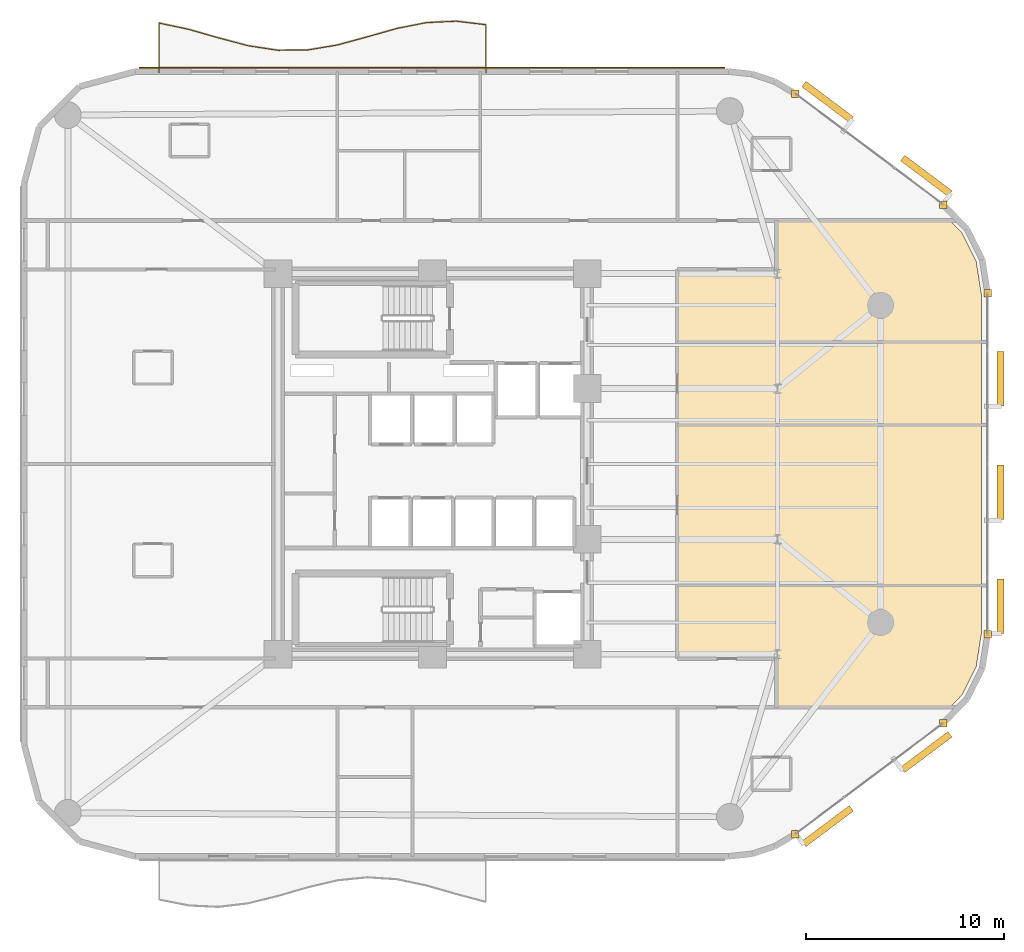
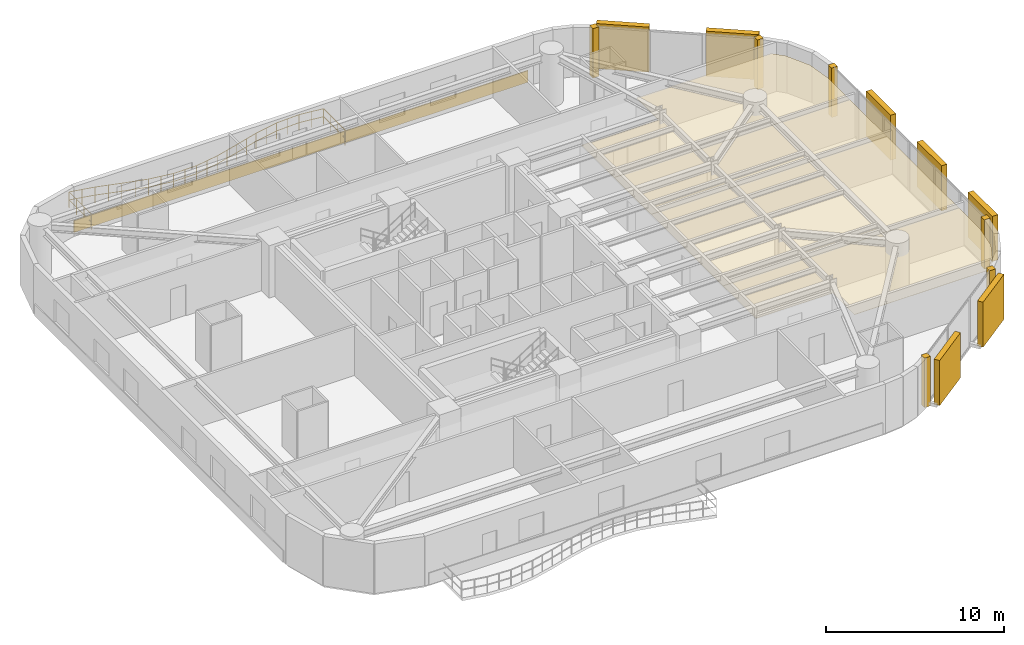
# One storey, part 15 of 15: 11 coverings, 7 shading devices, 1 railing.
"""IFC4 building model written with IfcOpenShell, lengths in metres."""

from ifc_helpers import new_model, si_unit, direction, frame, origin, origin_2d, place, context, subcontext, project, spatial, polyline, rectangle, circle, outline, extrude, material, layer, layer_set, type_object, element, save


model = new_model("IFC4")

# Units and contexts
model_context = context("Model", 3, precision=1e-05, world=origin(), true_north=direction((0.0, 1.0)))
body_context = subcontext(model_context, "Body", "Model", "MODEL_VIEW")
ifc_project = project(units=[si_unit("LENGTHUNIT", "METRE"), si_unit("AREAUNIT", "SQUARE_METRE"), si_unit("VOLUMEUNIT", "CUBIC_METRE"), si_unit("PLANEANGLEUNIT", "RADIAN"), si_unit("MASSUNIT", "GRAM", prefix="KILO")], contexts=[model_context])

# Site, building, storey
site_placement = place(None, origin())
site = spatial("IfcSite", under=ifc_project, at=site_placement, CompositionType="ELEMENT")
building_placement = place(site_placement, origin())
building = spatial("IfcBuilding", under=site, at=building_placement, Name="An Khanh Terracotta Commons", CompositionType="ELEMENT")
storey_placement = place(building_placement, frame((0.0, 0.0, 122.300048828125)))
storey = spatial("IfcBuildingStorey", under=building, at=storey_placement, Name="L32", CompositionType="ELEMENT", Elevation=122.300048828125)

# Coverings
ifc_material_1 = material(Name="Perforated Mineral-Fibre Acoustic Tile")
ifc_layer_1 = layer(ifc_material_1, 0.02001953125, Name="Perforated Mineral-Fibre Acoustic Tile")
ifc_layer_set_1 = layer_set([ifc_layer_1], Name="Perforated Mineral-Fibre Acoustic Tile")
covering_type_1 = type_object("IfcCoveringType", Name="CEIL-ACOUSTIC-18", PredefinedType="CEILING", material=ifc_layer_set_1)
covering_1_placement = place(storey_placement, frame((0.0, 0.0, 2.64990234375)))
element("IfcCovering", 1, at=covering_1_placement, inside=storey, type_object=covering_type_1, Name="L32 Collaborative Study Lounge Ceiling", PredefinedType="CEILING", context=body_context, shape_type="SweptSolid", body=[
    extrude(outline(polyline([(57.080078125, 15.425048828125), (56.825927734375, 13.7939453125), (56.10009765625, 12.342041015625), (55.492919921875, 11.719970703125), (46.75, 11.719970703125), (46.75, 14.179931640625), (41.75, 14.179931640625), (41.75, 17.860107421875), (57.080078125, 17.860107421875), (57.080078125, 15.425048828125)])), origin(), (0.0, 0.0, 1.0), 0.02001953125),
])
covering_2_placement = place(storey_placement, frame((0.0, 0.0, 2.64990234375)))
element("IfcCovering", 2, at=covering_2_placement, inside=storey, type_object=covering_type_1, Name="L32 Riverfront Reading Hall Ceiling", PredefinedType="CEILING", context=body_context, shape_type="SweptSolid", body=[
    extrude(outline(polyline([(57.080078125, 17.860107421875), (41.75, 17.860107421875), (41.75, 25.965087890625), (57.080078125, 25.965087890625), (57.080078125, 17.860107421875)])), origin(), (0.0, 0.0, 1.0), 0.02001953125),
])
covering_3_placement = place(storey_placement, frame((0.0, 0.0, 2.64990234375)))
element("IfcCovering", 3, at=covering_3_placement, inside=storey, type_object=covering_type_1, Name="L32 Collaborative Study Lounge Ceiling", PredefinedType="CEILING", context=body_context, shape_type="SweptSolid", body=[
    extrude(outline(polyline([(57.080078125, 25.965087890625), (41.75, 25.965087890625), (41.75, 30.139892578125), (57.080078125, 30.139892578125), (57.080078125, 25.965087890625)])), origin(), (0.0, 0.0, 1.0), 0.02001953125),
])
covering_4_placement = place(storey_placement, frame((0.0, 0.0, 2.64990234375)))
element("IfcCovering", 4, at=covering_4_placement, inside=storey, type_object=covering_type_1, Name="L32 Collaborative Study Lounge Ceiling", PredefinedType="CEILING", context=body_context, shape_type="SweptSolid", body=[
    extrude(outline(polyline([(56.10009765625, 35.657958984375), (56.825927734375, 34.2060546875), (57.080078125, 32.574951171875), (57.080078125, 30.139892578125), (41.75, 30.139892578125), (41.75, 33.820068359375), (46.75, 33.820068359375), (46.75, 36.280029296875), (55.492919921875, 36.280029296875), (56.10009765625, 35.657958984375)])), origin(), (0.0, 0.0, 1.0), 0.02001953125),
])
ifc_material_2 = material(Name="Fired Terracotta Rainscreen Cladding", Category="masonry")
ifc_layer_2 = layer(ifc_material_2, 0.080078125, Name="Fired Terracotta Rainscreen Cladding")
ifc_layer_set_2 = layer_set([ifc_layer_2], Name="Fired Terracotta Rainscreen Cladding")
covering_type_2 = type_object("IfcCoveringType", Name="COV-JAMB-TERRA", PredefinedType="CLADDING", material=ifc_layer_set_2)
for number, where, z_axis, x_axis, name in (
    (5, (47.693115234375, 5.320068359375, 0.0), (0.0, 0.0, 1.0), (1.0, 0.0, 0.0), "L32 CW-02 Curtain-Wall Jamb Closure JA"),
    (6, (55.159912109375, 10.919921875, 0.0), (0.0, 0.0, 1.0), (1.0, 0.0, 0.0), "L32 CW-02 Curtain-Wall Jamb Closure JB"),
    (7, (57.39990234375, 15.39990234375, 0.0), (0.0, 0.0, 1.0), (1.0, 0.0, 0.0), "L32 CW-02 Curtain-Wall Jamb Closure JA"),
    (8, (57.39990234375, 32.60009765625, 0.0), (0.0, 0.0, 1.0), (1.0, 0.0, 0.0), "L32 CW-02 Curtain-Wall Jamb Closure JB"),
    (9, (55.159912109375, 37.080078125, 0.0), (0.0, 0.0, 1.0), (1.0, 0.0, 0.0), "L32 CW-02 Curtain-Wall Jamb Closure JA"),
    (10, (47.693115234375, 42.679931640625, 0.0), (0.0, 0.0, 1.0), (1.0, 0.0, 0.0), "L32 CW-02 Curtain-Wall Jamb Closure JB"),
):
    element("IfcCovering", number, at=place(storey_placement, frame(where, z_axis=z_axis, x_axis=x_axis)), inside=storey, type_object=covering_type_2, Name=name, PredefinedType="CLADDING", context=body_context, shape_type="SweptSolid", body=[
        extrude(rectangle(XDim=0.3798828125, YDim=0.3798828125, at=origin_2d()), origin(), (0.0, 0.0, 1.0), 3.39990234375),
    ])
ifc_layer_3 = layer(ifc_material_2, 0.06005859375, Name="Fired Terracotta Rainscreen Cladding")
ifc_layer_set_3 = layer_set([ifc_layer_3], Name="Fired Terracotta Rainscreen Cladding")
covering_type_3 = type_object("IfcCoveringType", Name="COV-SPANDREL-TERRA", PredefinedType="CLADDING", material=ifc_layer_set_3)
covering_5_placement = place(storey_placement, frame((29.365966796875, 43.97998046875, 0.02001953125), z_axis=(0.0, 0.0, 1.0), x_axis=(-1.0, 0.0, 0.0)))
element("IfcCovering", 11, at=covering_5_placement, inside=storey, type_object=covering_type_3, Name="L32 Terracotta Spandrel Cladding 20", PredefinedType="CLADDING", context=body_context, shape_type="SweptSolid", body=[
    extrude(rectangle(XDim=29.532958984375, YDim=0.06005859375, at=origin_2d()), origin(), (0.0, 0.0, 1.0), 0.800048828125),
])

# Railing
ifc_material_3 = material(Name="Brushed Stainless Steel 316", Category="steel")
railing_type = type_object("IfcRailingType", Name="RAIL-BALUSTRADE-1100", PredefinedType="BALUSTRADE", material=ifc_material_3)
railing_placement = place(storey_placement, frame((32.10009765625, 43.739990234375, 0.0)))
element("IfcRailing", 12, at=railing_placement, inside=storey, type_object=railing_type, Name="L32 N Wave Balcony Guard Balustrade", PredefinedType="BALUSTRADE", context=body_context, shape_type="SweptSolid", body=[
    extrude(circle(Radius=0.02392578125, at=origin_2d()), frame((0.0, 0.0, 1.076171875), z_axis=(0.0, 1.0, 0.0), x_axis=(-1.0, 0.0, 0.0)), (0.0, 0.0, 1.0), 2.4140625),
    extrude(circle(Radius=0.02392578125, at=origin_2d()), frame((0.0, 0.0, 0.52587890625), z_axis=(0.0, 1.0, 0.0), x_axis=(-1.0, 0.0, 0.0)), (0.0, 0.0, 1.0), 2.4140625),
    extrude(circle(Radius=0.02392578125, at=origin_2d()), frame((0.0, 2.4140625, 1.076171875), z_axis=(-0.99288219023, 0.11910061429, 0.0), x_axis=(-0.11910061429, -0.99288219023, 0.0)), (0.0, 0.0, 1.0), 1.5107421875),
    extrude(circle(Radius=0.02392578125, at=origin_2d()), frame((0.0, 2.4140625, 0.52587890625), z_axis=(-0.99288219023, 0.11910061429, 0.0), x_axis=(-0.11910061429, -0.99288219023, 0.0)), (0.0, 0.0, 1.0), 1.5107421875),
    extrude(circle(Radius=0.02392578125, at=origin_2d()), frame((-1.5, 2.593994140625, 1.076171875), z_axis=(-0.998880243389, -0.047310245903, 0.0), x_axis=(0.047310245903, -0.998880243389, 0.0)), (0.0, 0.0, 1.0), 1.501708984375),
    extrude(circle(Radius=0.02392578125, at=origin_2d()), frame((-1.5, 2.593994140625, 0.52587890625), z_axis=(-0.998880243389, -0.047310245903, 0.0), x_axis=(0.047310245903, -0.998880243389, 0.0)), (0.0, 0.0, 1.0), 1.501708984375),
    extrude(circle(Radius=0.02392578125, at=origin_2d()), frame((-3.0, 2.52294921875, 1.076171875), z_axis=(-0.980849911242, -0.194765119094, 0.0), x_axis=(0.194765119094, -0.980849911242, 0.0)), (0.0, 0.0, 1.0), 1.529296875),
    extrude(circle(Radius=0.02392578125, at=origin_2d()), frame((-3.0, 2.52294921875, 0.52587890625), z_axis=(-0.980849911242, -0.194765119094, 0.0), x_axis=(0.194765119094, -0.980849911242, 0.0)), (0.0, 0.0, 1.0), 1.529296875),
    extrude(circle(Radius=0.02392578125, at=origin_2d()), frame((-4.5, 2.22509765625, 1.076171875), z_axis=(-0.962282666556, -0.272051593719, 0.0), x_axis=(0.272051593719, -0.962282666556, 0.0)), (0.0, 0.0, 1.0), 1.558837890625),
    extrude(circle(Radius=0.02392578125, at=origin_2d()), frame((-4.5, 2.22509765625, 0.52587890625), z_axis=(-0.962282666556, -0.272051593719, 0.0), x_axis=(0.272051593719, -0.962282666556, 0.0)), (0.0, 0.0, 1.0), 1.558837890625),
    extrude(circle(Radius=0.02392578125, at=origin_2d()), frame((-6.0, 1.801025390625, 1.076171875), z_axis=(-0.964948425307, -0.262439586375, 0.0), x_axis=(0.262439586375, -0.964948425307, 0.0)), (0.0, 0.0, 1.0), 1.554443359375),
    extrude(circle(Radius=0.02392578125, at=origin_2d()), frame((-6.0, 1.801025390625, 0.52587890625), z_axis=(-0.964948425307, -0.262439586375, 0.0), x_axis=(0.262439586375, -0.964948425307, 0.0)), (0.0, 0.0, 1.0), 1.554443359375),
    extrude(circle(Radius=0.02392578125, at=origin_2d()), frame((-7.5, 1.39306640625, 1.076171875), z_axis=(-0.986053503704, -0.166428626846, 0.0), x_axis=(0.166428626846, -0.986053503704, 0.0)), (0.0, 0.0, 1.0), 1.521240234375),
    extrude(circle(Radius=0.02392578125, at=origin_2d()), frame((-7.5, 1.39306640625, 0.52587890625), z_axis=(-0.986053503704, -0.166428626846, 0.0), x_axis=(0.166428626846, -0.986053503704, 0.0)), (0.0, 0.0, 1.0), 1.521240234375),
    extrude(circle(Radius=0.02392578125, at=origin_2d()), frame((-9.0, 1.139892578125, 1.076171875), z_axis=(-0.999956968224, -0.009276944529, 0.0), x_axis=(0.009276944529, -0.999956968224, 0.0)), (0.0, 0.0, 1.0), 1.5),
    extrude(circle(Radius=0.02392578125, at=origin_2d()), frame((-9.0, 1.139892578125, 0.52587890625), z_axis=(-0.999956968224, -0.009276944529, 0.0), x_axis=(0.009276944529, -0.999956968224, 0.0)), (0.0, 0.0, 1.0), 1.5),
    extrude(circle(Radius=0.02392578125, at=origin_2d()), frame((-10.5, 1.1259765625, 1.076171875), z_axis=(-0.988545890906, 0.15092058035, 0.0), x_axis=(-0.15092058035, -0.988545890906, 0.0)), (0.0, 0.0, 1.0), 1.517333984375),
    extrude(circle(Radius=0.02392578125, at=origin_2d()), frame((-10.5, 1.1259765625, 0.52587890625), z_axis=(-0.988545890906, 0.15092058035, 0.0), x_axis=(-0.15092058035, -0.988545890906, 0.0)), (0.0, 0.0, 1.0), 1.517333984375),
    extrude(circle(Radius=0.02392578125, at=origin_2d()), frame((-12.0, 1.35498046875, 1.076171875), z_axis=(-0.966718963822, 0.255840663277, 0.0), x_axis=(-0.255840663277, -0.966718963822, 0.0)), (0.0, 0.0, 1.0), 1.5517578125),
    extrude(circle(Radius=0.02392578125, at=origin_2d()), frame((-12.0, 1.35498046875, 0.52587890625), z_axis=(-0.966718963822, 0.255840663277, 0.0), x_axis=(-0.255840663277, -0.966718963822, 0.0)), (0.0, 0.0, 1.0), 1.5517578125),
    extrude(circle(Radius=0.02392578125, at=origin_2d()), frame((-13.5, 1.751953125, 1.076171875), z_axis=(-0.961251897699, 0.275671524047, 0.0), x_axis=(-0.275671524047, -0.961251897699, 0.0)), (0.0, 0.0, 1.0), 1.560546875),
    extrude(circle(Radius=0.02392578125, at=origin_2d()), frame((-13.5, 1.751953125, 0.52587890625), z_axis=(-0.961251897699, 0.275671524047, 0.0), x_axis=(-0.275671524047, -0.961251897699, 0.0)), (0.0, 0.0, 1.0), 1.560546875),
    extrude(circle(Radius=0.02392578125, at=origin_2d()), frame((-15.0, 2.18212890625, 1.076171875), z_axis=(-0.978275241205, 0.207310280607, 0.0), x_axis=(-0.207310280607, -0.978275241205, 0.0)), (0.0, 0.0, 1.0), 1.533203125),
    extrude(circle(Radius=0.02392578125, at=origin_2d()), frame((-15.0, 2.18212890625, 0.52587890625), z_axis=(-0.978275241205, 0.207310280607, 0.0), x_axis=(-0.207310280607, -0.978275241205, 0.0)), (0.0, 0.0, 1.0), 1.533203125),
    extrude(circle(Radius=0.02392578125, at=origin_2d()), frame((-16.5, 2.5, 1.076171875), z_axis=(0.0, -1.0, 0.0), x_axis=(1.0, 0.0, 0.0)), (0.0, 0.0, 1.0), 2.5),
    extrude(circle(Radius=0.02392578125, at=origin_2d()), frame((-16.5, 2.5, 0.52587890625), z_axis=(0.0, -1.0, 0.0), x_axis=(1.0, 0.0, 0.0)), (0.0, 0.0, 1.0), 2.5),
    extrude(circle(Radius=0.02099609375, at=origin_2d()), origin(), (0.0, 0.0, 1.0), 1.052001953125),
    extrude(circle(Radius=0.02099609375, at=origin_2d()), frame((0.0, 0.8046875, 0.0)), (0.0, 0.0, 1.0), 1.052001953125),
    extrude(circle(Radius=0.02099609375, at=origin_2d()), frame((0.0, 1.609375, 0.0)), (0.0, 0.0, 1.0), 1.052001953125),
    extrude(circle(Radius=0.02099609375, at=origin_2d()), frame((0.0, 2.4140625, 0.0)), (0.0, 0.0, 1.0), 1.052001953125),
    extrude(circle(Radius=0.02099609375, at=origin_2d()), frame((-0.75, 2.50390625, 0.0)), (0.0, 0.0, 1.0), 1.052001953125),
    extrude(circle(Radius=0.02099609375, at=origin_2d()), frame((-1.5, 2.593994140625, 0.0)), (0.0, 0.0, 1.0), 1.052001953125),
    extrude(circle(Radius=0.02099609375, at=origin_2d()), frame((-2.25, 2.55859375, 0.0)), (0.0, 0.0, 1.0), 1.052001953125),
    extrude(circle(Radius=0.02099609375, at=origin_2d()), frame((-3.0, 2.52294921875, 0.0)), (0.0, 0.0, 1.0), 1.052001953125),
    extrude(circle(Radius=0.02099609375, at=origin_2d()), frame((-3.75, 2.3740234375, 0.0)), (0.0, 0.0, 1.0), 1.052001953125),
    extrude(circle(Radius=0.02099609375, at=origin_2d()), frame((-4.5, 2.22509765625, 0.0)), (0.0, 0.0, 1.0), 1.052001953125),
    extrude(circle(Radius=0.02099609375, at=origin_2d()), frame((-5.25, 2.01318359375, 0.0)), (0.0, 0.0, 1.0), 1.052001953125),
    extrude(circle(Radius=0.02099609375, at=origin_2d()), frame((-6.0, 1.801025390625, 0.0)), (0.0, 0.0, 1.0), 1.052001953125),
    extrude(circle(Radius=0.02099609375, at=origin_2d()), frame((-6.75, 1.59716796875, 0.0)), (0.0, 0.0, 1.0), 1.052001953125),
    extrude(circle(Radius=0.02099609375, at=origin_2d()), frame((-7.5, 1.39306640625, 0.0)), (0.0, 0.0, 1.0), 1.052001953125),
    extrude(circle(Radius=0.02099609375, at=origin_2d()), frame((-8.25, 1.2666015625, 0.0)), (0.0, 0.0, 1.0), 1.052001953125),
    extrude(circle(Radius=0.02099609375, at=origin_2d()), frame((-9.0, 1.139892578125, 0.0)), (0.0, 0.0, 1.0), 1.052001953125),
    extrude(circle(Radius=0.02099609375, at=origin_2d()), frame((-9.75, 1.1328125, 0.0)), (0.0, 0.0, 1.0), 1.052001953125),
    extrude(circle(Radius=0.02099609375, at=origin_2d()), frame((-10.5, 1.1259765625, 0.0)), (0.0, 0.0, 1.0), 1.052001953125),
    extrude(circle(Radius=0.02099609375, at=origin_2d()), frame((-11.25, 1.240478515625, 0.0)), (0.0, 0.0, 1.0), 1.052001953125),
    extrude(circle(Radius=0.02099609375, at=origin_2d()), frame((-12.0, 1.35498046875, 0.0)), (0.0, 0.0, 1.0), 1.052001953125),
    extrude(circle(Radius=0.02099609375, at=origin_2d()), frame((-12.75, 1.553466796875, 0.0)), (0.0, 0.0, 1.0), 1.052001953125),
    extrude(circle(Radius=0.02099609375, at=origin_2d()), frame((-13.5, 1.751953125, 0.0)), (0.0, 0.0, 1.0), 1.052001953125),
    extrude(circle(Radius=0.02099609375, at=origin_2d()), frame((-14.25, 1.967041015625, 0.0)), (0.0, 0.0, 1.0), 1.052001953125),
    extrude(circle(Radius=0.02099609375, at=origin_2d()), frame((-15.0, 2.18212890625, 0.0)), (0.0, 0.0, 1.0), 1.052001953125),
    extrude(circle(Radius=0.02099609375, at=origin_2d()), frame((-15.75, 2.341064453125, 0.0)), (0.0, 0.0, 1.0), 1.052001953125),
    extrude(circle(Radius=0.02099609375, at=origin_2d()), frame((-16.5, 2.5, 0.0)), (0.0, 0.0, 1.0), 1.052001953125),
    extrude(circle(Radius=0.02099609375, at=origin_2d()), frame((-16.5, 1.666748046875, 0.0)), (0.0, 0.0, 1.0), 1.052001953125),
    extrude(circle(Radius=0.02099609375, at=origin_2d()), frame((-16.5, 0.833251953125, 0.0)), (0.0, 0.0, 1.0), 1.052001953125),
    extrude(circle(Radius=0.02099609375, at=origin_2d()), frame((-16.5, 0.0, 0.0)), (0.0, 0.0, 1.0), 1.052001953125),
])

# Shading devices
ifc_material_4 = material(Name="Extruded Fired Terracotta", Category="masonry")
shading_device_type = type_object("IfcShadingDeviceType", Name="Terracotta Baguette Screen Assembly", PredefinedType="USERDEFINED", material=ifc_material_4)
for number, where, z_axis, x_axis, name in (
    (13, (49.326904296875, 5.73291015625, 0.14990234375), (0.0, 0.0, 1.0), (0.800012856594, 0.599982857492, 0.0), "L32 Terracotta Baguette Screen 1"),
    (14, (54.304931640625, 9.467041015625, 0.14990234375), (0.0, 0.0, 1.0), (0.800012856594, 0.599982857492, 0.0), "L32 Terracotta Baguette Screen 3"),
):
    element("IfcShadingDevice", number, at=place(storey_placement, frame(where, z_axis=z_axis, x_axis=x_axis)), inside=storey, type_object=shading_device_type, Name=name, ObjectType="BAGUETTE", PredefinedType="USERDEFINED", context=body_context, shape_type="SweptSolid", body=[
        extrude(rectangle(XDim=2.990966796875, YDim=0.35009765625, at=origin_2d()), origin(), (0.0, 0.0, 1.0), 3.10009765625),
    ])
for number, where, z_axis, x_axis, name in (
    (15, (58.050048828125, 16.8330078125, 0.14990234375), (0.0, 0.0, 1.0), (0.0, 1.0, 0.0), "L32 Terracotta Baguette Screen 1"),
    (16, (58.050048828125, 22.56689453125, 0.14990234375), (0.0, 0.0, 1.0), (0.0, 1.0, 0.0), "L32 Terracotta Baguette Screen 3"),
    (17, (58.050048828125, 28.300048828125, 0.14990234375), (0.0, 0.0, 1.0), (0.0, 1.0, 0.0), "L32 Terracotta Baguette Screen 5"),
):
    element("IfcShadingDevice", number, at=place(storey_placement, frame(where, z_axis=z_axis, x_axis=x_axis)), inside=storey, type_object=shading_device_type, Name=name, ObjectType="BAGUETTE", PredefinedType="USERDEFINED", context=body_context, shape_type="SweptSolid", body=[
        extrude(rectangle(XDim=2.7470703125, YDim=0.35009765625, at=origin_2d()), origin(), (0.0, 0.0, 1.0), 3.10009765625),
    ])
for number, where, z_axis, x_axis, name in (
    (18, (54.304931640625, 38.532958984375, 0.14990234375), (0.0, 0.0, 1.0), (-0.800012856594, 0.599982857492, 0.0), "L32 Terracotta Baguette Screen 1"),
    (19, (49.326904296875, 42.26708984375, 0.14990234375), (0.0, 0.0, 1.0), (-0.800012856594, 0.599982857492, 0.0), "L32 Terracotta Baguette Screen 3"),
):
    element("IfcShadingDevice", number, at=place(storey_placement, frame(where, z_axis=z_axis, x_axis=x_axis)), inside=storey, type_object=shading_device_type, Name=name, ObjectType="BAGUETTE", PredefinedType="USERDEFINED", context=body_context, shape_type="SweptSolid", body=[
        extrude(rectangle(XDim=2.990966796875, YDim=0.35009765625, at=origin_2d()), origin(), (0.0, 0.0, 1.0), 3.10009765625),
    ])

save(model, "model.ifc")
